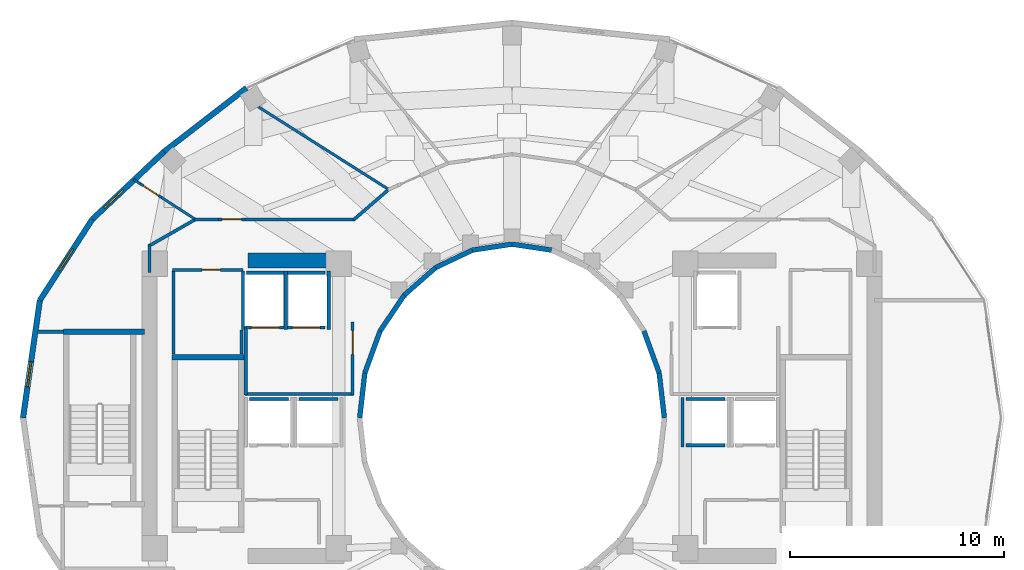
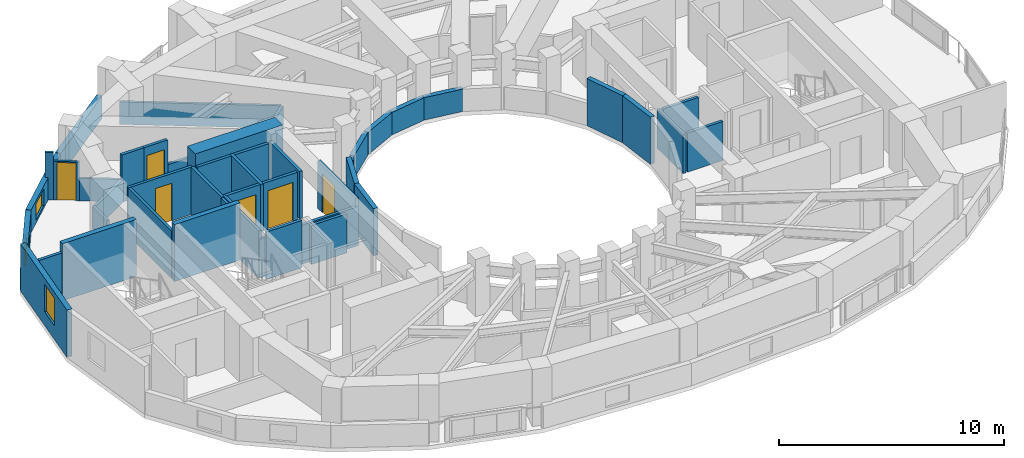
# One storey, part 15 of 20: 45 walls, 6 doors, 3 windows, 9 openings.
"""IFC4 building model written with IfcOpenShell, lengths in metres."""

from ifc_helpers import new_model, si_unit, direction, frame, frame_2d, origin, place, context, subcontext, project, spatial, rectangle, extrude, material, layer, layer_set, type_object, element, fill, save


model = new_model("IFC4")

# Units and contexts
model_context = context("Model", 3, precision=1e-05, world=origin(), true_north=direction((0.0, 1.0)))
body_context = subcontext(model_context, "Body", "Model", "MODEL_VIEW")
ifc_project = project(units=[si_unit("LENGTHUNIT", "METRE"), si_unit("AREAUNIT", "SQUARE_METRE"), si_unit("VOLUMEUNIT", "CUBIC_METRE"), si_unit("PLANEANGLEUNIT", "RADIAN"), si_unit("MASSUNIT", "GRAM", prefix="KILO")], contexts=[model_context])

# Site, building, storey
site_placement = place(None, origin())
site = spatial("IfcSite", under=ifc_project, at=site_placement, CompositionType="ELEMENT")
building_placement = place(site_placement, origin())
building = spatial("IfcBuilding", under=site, at=building_placement, Name="Solvane Sanctuary Tower", CompositionType="ELEMENT")
storey_placement = place(building_placement, frame((0.0, 0.0, 159.10009765625)))
storey = spatial("IfcBuildingStorey", under=building, at=storey_placement, Name="L48", CompositionType="ELEMENT", Elevation=159.10009765625)

# Walls
ifc_material_1 = material(Name="Concrete C60/75", Category="concrete")
ifc_layer_1 = layer(ifc_material_1, 0.699951171875, Name="Concrete C60/75")
ifc_layer_set_1 = layer_set([ifc_layer_1], Name="Concrete C60/75")
wall_type_1 = type_object("IfcWallType", Name="Wall W-CORE-700", PredefinedType="SHEAR", material=ifc_layer_set_1)
wall_1_placement = place(storey_placement, frame((19.64990234375, 30.35009765625, 0.0), z_axis=(0.0, 0.0, 1.0), x_axis=(1.0, 0.0, 0.0)))
element("IfcWall", 1, at=wall_1_placement, inside=storey, type_object=wall_type_1, Name="L48 Core Shear Wall WC-N", PredefinedType="SHEAR", context=body_context, shape_type="SweptSolid", body=[
    extrude(rectangle(XDim=4.5, YDim=0.699951171875, at=frame_2d((2.25, 0.0))), origin(), (0.0, 0.0, 1.0), 3.099853515625),
])
ifc_material_2 = material(Name="Acoustic Gypsum Partition Board")
ifc_layer_2 = layer(ifc_material_2, 0.14990234375, Name="Acoustic Gypsum Partition Board")
ifc_layer_set_2 = layer_set([ifc_layer_2], Name="Acoustic Gypsum Partition Board")
wall_type_2 = type_object("IfcWallType", Name="Wall W-CORR-150", PredefinedType="PARTITIONING", material=ifc_layer_set_2)
wall_2_placement = place(storey_placement, frame((19.52001953125, 24.1201171875, 0.0), z_axis=(0.0, 0.0, 1.0), x_axis=(1.0, 0.0, 0.0)))
element("IfcWall", 2, at=wall_2_placement, inside=storey, type_object=wall_type_2, Name="L48 West Firefighting Lobby South Wall", PredefinedType="PARTITIONING", context=body_context, shape_type="SweptSolid", body=[
    extrude(rectangle(XDim=5.080078125, YDim=0.14990234375, at=frame_2d((2.5400390625, 0.0))), origin(), (0.0, 0.0, 1.0), 2.119873046875),
])
wall_3_placement = place(storey_placement, frame((19.550048828125, 24.080078125, 0.0), z_axis=(0.0, 0.0, 1.0), x_axis=(0.0, 1.0, 0.0)))
element("IfcWall", 3, at=wall_3_placement, inside=storey, type_object=wall_type_2, Name="L48 West Firefighting Lobby West Wall", PredefinedType="PARTITIONING", context=body_context, shape_type="SweptSolid", body=[
    extrude(rectangle(XDim=3.199951171875, YDim=0.14990234375, at=frame_2d((1.60009765625, 0.0))), origin(), (0.0, 0.0, 1.0), 2.574951171875),
])

# Wall, opening, door
wall_4_placement = place(storey_placement, frame((24.550048828125, 24.080078125, 0.0), z_axis=(0.0, 0.0, 1.0), x_axis=(0.0, 1.0, 0.0)))
wall_4 = element("IfcWall", 4, at=wall_4_placement, inside=storey, type_object=wall_type_2, Name="L48 West Firefighting Lobby East Wall", PredefinedType="PARTITIONING", context=body_context, shape_type="SweptSolid", body=[
    extrude(rectangle(XDim=3.39990234375, YDim=0.14990234375, at=frame_2d((1.699951171875, 0.0))), origin(), (0.0, 0.0, 1.0), 2.574951171875),
])
opening_1_placement = place(wall_4_placement, frame((1.893798828125, 0.0, 0.0)))
opening_1 = element("IfcOpeningElement", 5, at=opening_1_placement, cuts=wall_4, Name="Opening D-L48-04", PredefinedType="OPENING", context=body_context, shape_type="SweptSolid", body=[
    extrude(rectangle(XDim=1.10009765625, YDim=2.10009765625, at=frame_2d((0.550048828125, 1.050048828125))), frame((0.0, 0.0849609375, 0.0), z_axis=(0.0, -1.0, 0.0), x_axis=(1.0, 0.0, 0.0)), (0.0, 0.0, 1.0), 0.169921875),
])
ifc_material_3 = material(Name="Architectural Stainless Steel 316", Category="steel")
door_type_1 = type_object("IfcDoorType", Name="Door D-FFL", OperationType="NOTDEFINED", PredefinedType="DOOR", material=ifc_material_3)
door_1_placement = place(opening_1_placement, origin())
door_1 = element("IfcDoor", 6, at=door_1_placement, inside=storey, type_object=door_type_1, Name="L48 West Firefighting Lobby Fire Door", OperationType="SINGLE_SWING_LEFT", OverallHeight=2.10009765625, OverallWidth=1.10009765625, PredefinedType="DOOR", context=body_context, shape_type="SweptSolid", body=[
    extrude(rectangle(XDim=1.10009765625, YDim=2.10009765625, at=frame_2d((0.550048828125, 1.050048828125))), frame((0.0, 0.02490234375, 0.0), z_axis=(0.0, -1.0, 0.0), x_axis=(1.0, 0.0, 0.0)), (0.0, 0.0, 1.0), 0.050048828125),
])
fill(opening_1, door_1)

# Walls
wall_5_placement = place(storey_placement, frame((9.869873046875, 27.030029296875, 0.0), z_axis=(0.0, 0.0, 1.0), x_axis=(1.0, 0.0, 0.0)))
element("IfcWall", 7, at=wall_5_placement, inside=storey, type_object=wall_type_2, Name="L48 NW Corner Closer 1", PredefinedType="PARTITIONING", context=body_context, shape_type="SweptSolid", body=[
    extrude(rectangle(XDim=1.170166015625, YDim=0.14990234375, at=frame_2d((0.5849609375, 0.0))), origin(), (0.0, 0.0, 1.0), 2.574951171875),
])
wall_6_placement = place(storey_placement, frame((15.050048828125, 29.800048828125, 0.0), z_axis=(0.0, 0.0, 1.0), x_axis=(0.0, 1.0, 0.0)))
element("IfcWall", 8, at=wall_6_placement, inside=storey, type_object=wall_type_2, Name="L48 NW Corner Closer 2", PredefinedType="PARTITIONING", context=body_context, shape_type="SweptSolid", body=[
    extrude(rectangle(XDim=1.2900390625, YDim=0.14990234375, at=frame_2d((0.64501953125, 0.0))), origin(), (0.0, 0.0, 1.0), 1.219970703125),
])
wall_7_placement = place(storey_placement, frame((26.193359375, 33.64208984375, 0.0), z_axis=(0.0, 0.0, 1.0), x_axis=(-0.756055312247, -0.654507727092, 0.0)))
element("IfcWall", 9, at=wall_7_placement, inside=storey, type_object=wall_type_2, Name="L48 NW Corner Throat Wall", PredefinedType="PARTITIONING", context=body_context, shape_type="SweptSolid", body=[
    extrude(rectangle(XDim=2.11083984375, YDim=0.14990234375, at=frame_2d((1.055419921875, 0.0))), origin(), (0.0, 0.0, 1.0), 1.219970703125),
])
wall_8_placement = place(storey_placement, frame((17.14990234375, 32.280029296875, 0.0), z_axis=(0.0, 0.0, 1.0), x_axis=(1.0, 0.0, 0.0)))
element("IfcWall", 10, at=wall_8_placement, inside=storey, type_object=wall_type_2, Name="L48 NW Corner Corridor Wall", PredefinedType="PARTITIONING", context=body_context, shape_type="SweptSolid", body=[
    extrude(rectangle(XDim=1.14013671875, YDim=0.14990234375, at=frame_2d((0.570068359375, 0.0))), origin(), (0.0, 0.0, 1.0), 2.574951171875),
])

# Wall, opening, door
wall_9_placement = place(storey_placement, frame((18.2900390625, 32.280029296875, 0.0), z_axis=(0.0, 0.0, 1.0), x_axis=(1.0, 0.0, 0.0)))
wall_9 = element("IfcWall", 11, at=wall_9_placement, inside=storey, type_object=wall_type_2, Name="L48 NW Corner Corridor Wall", PredefinedType="PARTITIONING", context=body_context, shape_type="SweptSolid", body=[
    extrude(rectangle(XDim=1.219970703125, YDim=0.14990234375, at=frame_2d((0.60986328125, 0.0))), origin(), (0.0, 0.0, 1.0), 2.574951171875),
])
opening_2_placement = place(wall_9_placement, frame((0.159912109375, 0.0, 0.0)))
opening_2 = element("IfcOpeningElement", 12, at=opening_2_placement, cuts=wall_9, Name="Opening D-L48-13", PredefinedType="OPENING", context=body_context, shape_type="SweptSolid", body=[
    extrude(rectangle(XDim=0.89990234375, YDim=2.10009765625, at=frame_2d((0.449951171875, 1.050048828125))), frame((0.0, 0.0849609375, 0.0), z_axis=(0.0, -1.0, 0.0), x_axis=(1.0, 0.0, 0.0)), (0.0, 0.0, 1.0), 0.169921875),
])
ifc_material_4 = material(Name="Engineered Tropical Hardwood", Category="wood")
door_type_2 = type_object("IfcDoorType", Name="Door D-WET-900", OperationType="NOTDEFINED", PredefinedType="DOOR", material=ifc_material_4)
door_2_placement = place(opening_2_placement, origin())
door_2 = element("IfcDoor", 13, at=door_2_placement, inside=storey, type_object=door_type_2, Name="L48 NW Corner Salon Door", OperationType="SINGLE_SWING_RIGHT", OverallHeight=2.10009765625, OverallWidth=0.89990234375, PredefinedType="DOOR", context=body_context, shape_type="SweptSolid", body=[
    extrude(rectangle(XDim=0.89990234375, YDim=2.10009765625, at=frame_2d((0.449951171875, 1.050048828125))), frame((0.0, 0.02490234375, 0.0), z_axis=(0.0, -1.0, 0.0), x_axis=(1.0, 0.0, 0.0)), (0.0, 0.0, 1.0), 0.050048828125),
])
fill(opening_2, door_2)

# Walls
wall_10_placement = place(storey_placement, frame((19.510009765625, 32.280029296875, 0.0), z_axis=(0.0, 0.0, 1.0), x_axis=(1.0, 0.0, 0.0)))
element("IfcWall", 14, at=wall_10_placement, inside=storey, type_object=wall_type_2, Name="L48 NW Corner Corridor Wall", PredefinedType="PARTITIONING", context=body_context, shape_type="SweptSolid", body=[
    extrude(rectangle(XDim=5.159912109375, YDim=0.14990234375, at=frame_2d((2.580078125, 0.0))), origin(), (0.0, 0.0, 1.0), 1.219970703125),
])
wall_11_placement = place(storey_placement, frame((17.243408203125, 32.3046875, 0.0), z_axis=(0.0, 0.0, 1.0), x_axis=(-0.867991349648, -0.496579315857, 0.0)))
element("IfcWall", 15, at=wall_11_placement, inside=storey, type_object=wall_type_2, Name="L48 NW Corner Wing Wall", PredefinedType="PARTITIONING", context=body_context, shape_type="SweptSolid", body=[
    extrude(rectangle(XDim=2.56689453125, YDim=0.14990234375, at=frame_2d((1.283447265625, 0.0))), origin(), (0.0, 0.0, 1.0), 1.219970703125),
])
ifc_material_5 = material(Name="Precast concrete C40/50", Category="concrete")
ifc_layer_3 = layer(ifc_material_5, 0.260009765625, Name="Precast concrete C40/50")
ifc_layer_set_3 = layer_set([ifc_layer_3], Name="Precast concrete C40/50")
wall_type_3 = type_object("IfcWallType", Name="Wall W-EXT-250", PredefinedType="STANDARD", material=ifc_layer_set_3)
wall_12_placement = place(storey_placement, frame((19.5869140625, 38.41943359375, 0.0), z_axis=(0.0, 0.0, 1.0), x_axis=(-0.791460185804, -0.611220724687, 0.0)))
element("IfcWall", 16, at=wall_12_placement, inside=storey, type_object=wall_type_3, Name="L48 Ceramic-Printed Facade Wall 08", PredefinedType="STANDARD", context=body_context, shape_type="SweptSolid", body=[
    extrude(rectangle(XDim=4.872314453125, YDim=0.260009765625, at=frame_2d((2.43603515625, 0.0))), origin(), (0.0, 0.0, 1.0), 1.219970703125),
])

# Wall, opening, window
wall_13_placement = place(storey_placement, frame((15.730712890625, 35.44140625, 0.0), z_axis=(0.0, 0.0, 1.0), x_axis=(-0.727667301037, -0.68593024354, 0.0)))
wall_13 = element("IfcWall", 17, at=wall_13_placement, inside=storey, type_object=wall_type_3, Name="L48 Ceramic-Printed Facade Wall 09", PredefinedType="STANDARD", context=body_context, shape_type="SweptSolid", body=[
    extrude(rectangle(XDim=4.603515625, YDim=0.260009765625, at=frame_2d((2.3017578125, 0.0))), origin(), (0.0, 0.0, 1.0), 1.219970703125),
])
opening_3_placement = place(wall_13_placement, frame((2.633544921875, 0.0, 0.14990234375)))
opening_3 = element("IfcOpeningElement", 18, at=opening_3_placement, cuts=wall_13, Name="Opening WN-OPER-1200", PredefinedType="OPENING", context=body_context, shape_type="SweptSolid", body=[
    extrude(rectangle(XDim=1.199951171875, YDim=0.89990234375, at=frame_2d((0.60009765625, 0.449951171875))), frame((0.0, 0.139892578125, 0.0), z_axis=(0.0, -1.0, 0.0), x_axis=(1.0, 0.0, 0.0)), (0.0, 0.0, 1.0), 0.280029296875),
])
ifc_material_6 = material(Name="Dark Ceramic-Fritted Low-E Glass", Category="glass")
window_type = type_object("IfcWindowType", Name="Window WN-OPER-1200", PartitioningType="SINGLE_PANEL", PredefinedType="WINDOW", material=ifc_material_6)
window_1_placement = place(opening_3_placement, origin())
window_1 = element("IfcWindow", 19, at=window_1_placement, inside=storey, type_object=window_type, Name="L48 Operable Facade Window 09", OverallHeight=0.89990234375, OverallWidth=1.199951171875, PartitioningType="SINGLE_PANEL", PredefinedType="WINDOW", context=body_context, shape_type="SweptSolid", body=[
    extrude(rectangle(XDim=1.199951171875, YDim=0.89990234375, at=frame_2d((0.60009765625, 0.449951171875))), frame((0.0, 0.030029296875, 0.0), z_axis=(0.0, -1.0, 0.0), x_axis=(1.0, 0.0, 0.0)), (0.0, 0.0, 1.0), 0.06005859375),
])
fill(opening_3, window_1)

wall_14_placement = place(storey_placement, frame((12.380859375, 32.28369140625, 0.0), z_axis=(0.0, 0.0, 1.0), x_axis=(-0.543358984534, -0.839500454989, 0.0)))
wall_14 = element("IfcWall", 20, at=wall_14_placement, inside=storey, type_object=wall_type_3, Name="L48 Ceramic-Printed Facade Wall 10", PredefinedType="STANDARD", context=body_context, shape_type="SweptSolid", body=[
    extrude(rectangle(XDim=4.51123046875, YDim=0.260009765625, at=frame_2d((2.255615234375, 0.0))), origin(), (0.0, 0.0, 1.0), 1.219970703125),
])
opening_4_placement = place(wall_14_placement, frame((1.655517578125, 0.0, 0.14990234375)))
opening_4 = element("IfcOpeningElement", 21, at=opening_4_placement, cuts=wall_14, Name="Opening WN-OPER-1200", PredefinedType="OPENING", context=body_context, shape_type="SweptSolid", body=[
    extrude(rectangle(XDim=1.199951171875, YDim=0.89990234375, at=frame_2d((0.60009765625, 0.449951171875))), frame((0.0, 0.139892578125, 0.0), z_axis=(0.0, -1.0, 0.0), x_axis=(1.0, 0.0, 0.0)), (0.0, 0.0, 1.0), 0.280029296875),
])
window_2_placement = place(opening_4_placement, origin())
window_2 = element("IfcWindow", 22, at=window_2_placement, inside=storey, type_object=window_type, Name="L48 Operable Facade Window 10", OverallHeight=0.89990234375, OverallWidth=1.199951171875, PartitioningType="SINGLE_PANEL", PredefinedType="WINDOW", context=body_context, shape_type="SweptSolid", body=[
    extrude(rectangle(XDim=1.199951171875, YDim=0.89990234375, at=frame_2d((0.60009765625, 0.449951171875))), frame((0.0, 0.030029296875, 0.0), z_axis=(0.0, -1.0, 0.0), x_axis=(1.0, 0.0, 0.0)), (0.0, 0.0, 1.0), 0.06005859375),
])
fill(opening_4, window_2)

wall_15_placement = place(storey_placement, frame((9.9296875, 28.49658203125, 0.0), z_axis=(0.0, 0.0, 1.0), x_axis=(-0.142227632286, -0.989833976288, 0.0)))
wall_15 = element("IfcWall", 23, at=wall_15_placement, inside=storey, type_object=wall_type_3, Name="L48 Ceramic-Printed Facade Wall 11", PredefinedType="STANDARD", context=body_context, shape_type="SweptSolid", body=[
    extrude(rectangle(XDim=5.552978515625, YDim=0.260009765625, at=frame_2d((2.7763671875, 0.0))), origin(), (0.0, 0.0, 1.0), 2.56982421875),
])
opening_5_placement = place(wall_15_placement, frame((2.892333984375, 0.0, 0.75)))
opening_5 = element("IfcOpeningElement", 24, at=opening_5_placement, cuts=wall_15, Name="Opening WN-OPER-1200", PredefinedType="OPENING", context=body_context, shape_type="SweptSolid", body=[
    extrude(rectangle(XDim=1.199951171875, YDim=1.5, at=frame_2d((0.60009765625, 0.75))), frame((0.0, 0.139892578125, 0.0), z_axis=(0.0, -1.0, 0.0), x_axis=(1.0, 0.0, 0.0)), (0.0, 0.0, 1.0), 0.280029296875),
])
window_3_placement = place(opening_5_placement, origin())
window_3 = element("IfcWindow", 25, at=window_3_placement, inside=storey, type_object=window_type, Name="L48 Operable Facade Window 11", OverallHeight=1.5, OverallWidth=1.199951171875, PartitioningType="SINGLE_PANEL", PredefinedType="WINDOW", context=body_context, shape_type="SweptSolid", body=[
    extrude(rectangle(XDim=1.199951171875, YDim=1.5, at=frame_2d((0.60009765625, 0.75))), frame((0.0, 0.030029296875, 0.0), z_axis=(0.0, -1.0, 0.0), x_axis=(1.0, 0.0, 0.0)), (0.0, 0.0, 1.0), 0.06005859375),
])
fill(opening_5, window_3)

# Walls
ifc_layer_4 = layer(ifc_material_5, 0.22998046875, Name="Precast concrete C40/50")
ifc_layer_set_4 = layer_set([ifc_layer_4], Name="Precast concrete C40/50")
wall_type_4 = type_object("IfcWallType", Name="Wall W-EXT-SP220", PredefinedType="STANDARD", material=ifc_layer_set_4)
wall_16_placement = place(storey_placement, frame((39.1201171875, 23.0, 0.0), z_axis=(0.0, 0.0, 1.0), x_axis=(-0.114711713601, 0.993398823617, 0.0)))
element("IfcWall", 26, at=wall_16_placement, inside=storey, type_object=wall_type_4, Name="L48 Central Light-Well Wall 00", PredefinedType="STANDARD", context=body_context, shape_type="SweptSolid", body=[
    extrude(rectangle(XDim=2.115478515625, YDim=0.22998046875, at=frame_2d((1.0576171875, 0.0))), origin(), (0.0, 0.0, 1.0), 2.559814453125),
])
wall_17_placement = place(storey_placement, frame((38.87744140625, 25.1015625, 0.0), z_axis=(0.0, 0.0, 1.0), x_axis=(-0.341423187295, 0.93990968033, 0.0)))
element("IfcWall", 27, at=wall_17_placement, inside=storey, type_object=wall_type_4, Name="L48 Central Light-Well Wall 01", PredefinedType="STANDARD", context=body_context, shape_type="SweptSolid", body=[
    extrude(rectangle(XDim=2.083740234375, YDim=0.22998046875, at=frame_2d((1.0419921875, 0.0))), origin(), (0.0, 0.0, 1.0), 2.559814453125),
])
for number, where, z_axis, x_axis, name in (
    (28, (33.8427734375, 30.84326171875, 0.0), (0.0, 0.0, 1.0), (-0.988901730308, 0.148571086668, 0.0), "L48 Central Light-Well Wall 05"),
    (29, (32.0, 31.1201171875, 0.0), (0.0, 0.0, 1.0), (-0.988901730308, -0.148571086668, 0.0), "L48 Central Light-Well Wall 06"),
):
    element("IfcWall", number, at=place(storey_placement, frame(where, z_axis=z_axis, x_axis=x_axis)), inside=storey, type_object=wall_type_4, Name=name, PredefinedType="STANDARD", context=body_context, shape_type="SweptSolid", body=[
        extrude(rectangle(XDim=1.863525390625, YDim=0.22998046875, at=frame_2d((0.931640625, 0.0))), origin(), (0.0, 0.0, 1.0), 1.219970703125),
    ])
wall_18_placement = place(storey_placement, frame((30.1572265625, 30.84326171875, 0.0), z_axis=(0.0, 0.0, 1.0), x_axis=(-0.904179699603, -0.427152280606, 0.0)))
element("IfcWall", 30, at=wall_18_placement, inside=storey, type_object=wall_type_4, Name="L48 Central Light-Well Wall 07", PredefinedType="STANDARD", context=body_context, shape_type="SweptSolid", body=[
    extrude(rectangle(XDim=1.899169921875, YDim=0.22998046875, at=frame_2d((0.94970703125, 0.0))), origin(), (0.0, 0.0, 1.0), 1.219970703125),
])
wall_19_placement = place(storey_placement, frame((28.43994140625, 30.031982421875, 0.0), z_axis=(0.0, 0.0, 1.0), x_axis=(-0.752576694707, -0.658504607869, 0.0)))
element("IfcWall", 31, at=wall_19_placement, inside=storey, type_object=wall_type_4, Name="L48 Central Light-Well Wall 08", PredefinedType="STANDARD", context=body_context, shape_type="SweptSolid", body=[
    extrude(rectangle(XDim=1.95947265625, YDim=0.22998046875, at=frame_2d((0.979736328125, 0.0))), origin(), (0.0, 0.0, 1.0), 1.219970703125),
])
wall_20_placement = place(storey_placement, frame((26.96533203125, 28.74169921875, 0.0), z_axis=(0.0, 0.0, 1.0), x_axis=(-0.558197800898, -0.829707909492, 0.0)))
element("IfcWall", 32, at=wall_20_placement, inside=storey, type_object=wall_type_4, Name="L48 Central Light-Well Wall 09", PredefinedType="STANDARD", context=body_context, shape_type="SweptSolid", body=[
    extrude(rectangle(XDim=2.02685546875, YDim=0.22998046875, at=frame_2d((1.013427734375, 0.0))), origin(), (0.0, 0.0, 1.0), 1.219970703125),
])
wall_21_placement = place(storey_placement, frame((25.833984375, 27.06005859375, 0.0), z_axis=(0.0, 0.0, 1.0), x_axis=(-0.341423187295, -0.93990968033, 0.0)))
element("IfcWall", 33, at=wall_21_placement, inside=storey, type_object=wall_type_4, Name="L48 Central Light-Well Wall 10", PredefinedType="STANDARD", context=body_context, shape_type="SweptSolid", body=[
    extrude(rectangle(XDim=2.083740234375, YDim=0.22998046875, at=frame_2d((1.0419921875, 0.0))), origin(), (0.0, 0.0, 1.0), 2.559814453125),
])
wall_22_placement = place(storey_placement, frame((25.12255859375, 25.1015625, 0.0), z_axis=(0.0, 0.0, 1.0), x_axis=(-0.114711713601, -0.993398823617, 0.0)))
element("IfcWall", 34, at=wall_22_placement, inside=storey, type_object=wall_type_4, Name="L48 Central Light-Well Wall 11", PredefinedType="STANDARD", context=body_context, shape_type="SweptSolid", body=[
    extrude(rectangle(XDim=2.115478515625, YDim=0.22998046875, at=frame_2d((1.0576171875, 0.0))), origin(), (0.0, 0.0, 1.0), 2.559814453125),
])
ifc_layer_5 = layer(ifc_material_2, 0.1201171875, Name="Acoustic Gypsum Partition Board")
ifc_layer_set_5 = layer_set([ifc_layer_5], Name="Acoustic Gypsum Partition Board")
wall_type_5 = type_object("IfcWallType", Name="Wall W-MOV-100", PredefinedType="MOVABLE", material=ifc_layer_set_5)
wall_23_placement = place(storey_placement, frame((17.241943359375, 32.2529296875, 0.0), z_axis=(0.0, 0.0, 1.0), x_axis=(-0.839960690577, 0.542647250325, 0.0)))
element("IfcWall", 35, at=wall_23_placement, inside=storey, type_object=wall_type_5, Name="L48 NW Corner Suite Partition", PredefinedType="MOVABLE", context=body_context, shape_type="SweptSolid", body=[
    extrude(rectangle(XDim=1.944580078125, YDim=0.1201171875, at=frame_2d((0.97216796875, 0.0))), origin(), (0.0, 0.0, 1.0), 1.219970703125),
])

# Wall, opening, door
wall_24_placement = place(storey_placement, frame((15.608642578125, 33.30810546875, 0.0), z_axis=(0.0, 0.0, 1.0), x_axis=(-0.839989837614, 0.542602131129, 0.0)))
wall_24 = element("IfcWall", 36, at=wall_24_placement, inside=storey, type_object=wall_type_5, Name="L48 NW Corner Suite Partition", PredefinedType="MOVABLE", context=body_context, shape_type="SweptSolid", body=[
    extrude(rectangle(XDim=1.169921875, YDim=0.1201171875, at=frame_2d((0.5849609375, 0.0))), origin(), (0.0, 0.0, 1.0), 2.10986328125),
])
opening_6_placement = place(wall_24_placement, frame((0.159912109375, 0.0, 0.0)))
opening_6 = element("IfcOpeningElement", 37, at=opening_6_placement, cuts=wall_24, Name="Opening D-L48-12", PredefinedType="OPENING", context=body_context, shape_type="SweptSolid", body=[
    extrude(rectangle(XDim=0.85009765625, YDim=2.050048828125, at=frame_2d((0.425048828125, 1.02490234375))), frame((0.0, 0.070068359375, 0.0), z_axis=(0.0, -1.0, 0.0), x_axis=(1.0, 0.0, 0.0)), (0.0, 0.0, 1.0), 0.14013671875),
])
door_type_3 = type_object("IfcDoorType", Name="Door D-RISER", OperationType="NOTDEFINED", PredefinedType="DOOR", material=ifc_material_3)
door_3_placement = place(opening_6_placement, origin())
door_3 = element("IfcDoor", 38, at=door_3_placement, inside=storey, type_object=door_type_3, Name="L48 NW Corner Suite Door", OperationType="SINGLE_SWING_LEFT", OverallHeight=2.050048828125, OverallWidth=0.85009765625, PredefinedType="DOOR", context=body_context, shape_type="SweptSolid", body=[
    extrude(rectangle(XDim=0.85009765625, YDim=2.050048828125, at=frame_2d((0.425048828125, 1.02490234375))), frame((0.0, 0.02490234375, 0.0), z_axis=(0.0, -1.0, 0.0), x_axis=(1.0, 0.0, 0.0)), (0.0, 0.0, 1.0), 0.050048828125),
])
fill(opening_6, door_3)

# Walls
wall_25_placement = place(storey_placement, frame((14.6259765625, 33.94287109375, 0.0), z_axis=(0.0, 0.0, 1.0), x_axis=(-0.840014217141, 0.542564387885, 0.0)))
element("IfcWall", 39, at=wall_25_placement, inside=storey, type_object=wall_type_5, Name="L48 NW Corner Suite Partition", PredefinedType="MOVABLE", context=body_context, shape_type="SweptSolid", body=[
    extrude(rectangle(XDim=0.368408203125, YDim=0.1201171875, at=frame_2d((0.18408203125, 0.0))), origin(), (0.0, 0.0, 1.0), 2.574951171875),
])
ifc_layer_6 = layer(ifc_material_2, 0.125, Name="Acoustic Gypsum Partition Board")
ifc_layer_set_6 = layer_set([ifc_layer_6], Name="Acoustic Gypsum Partition Board")
wall_type_6 = type_object("IfcWallType", Name="Wall W-PART-125", PredefinedType="PARTITIONING", material=ifc_layer_set_6)
wall_26_placement = place(storey_placement, frame((26.1884765625, 33.70751953125, 0.0), z_axis=(0.0, 0.0, 1.0), x_axis=(-0.844640430122, 0.535334048799, 0.0)))
element("IfcWall", 40, at=wall_26_placement, inside=storey, type_object=wall_type_6, Name="L48 Radial Compartment Wall 120", PredefinedType="PARTITIONING", context=body_context, shape_type="SweptSolid", body=[
    extrude(rectangle(XDim=7.188232421875, YDim=0.125, at=frame_2d((3.59423828125, 0.0))), origin(), (0.0, 0.0, 1.0), 1.219970703125),
])
ifc_material_7 = material(Name="Concrete C50/60", Category="concrete")
ifc_layer_7 = layer(ifc_material_7, 0.14990234375, Name="Concrete C50/60")
ifc_layer_set_7 = layer_set([ifc_layer_7], Name="Concrete C50/60")
wall_type_7 = type_object("IfcWallType", Name="Wall W-SHAFT-150", PredefinedType="SOLIDWALL", material=ifc_layer_set_7)
wall_27_placement = place(storey_placement, frame((19.739990234375, 23.8798828125, 0.0), z_axis=(0.0, 0.0, 1.0), x_axis=(1.0, 0.0, 0.0)))
element("IfcWall", 41, at=wall_27_placement, inside=storey, type_object=wall_type_7, Name="L48 PM-1 Lift Shaft Wall B", PredefinedType="SOLIDWALL", context=body_context, shape_type="SweptSolid", body=[
    extrude(rectangle(XDim=1.820068359375, YDim=0.14990234375, at=frame_2d((0.91015625, 0.0))), origin(), (0.0, 0.0, 1.0), 2.574951171875),
])
for number, where, z_axis, x_axis, name in (
    (42, (22.0400390625, 23.8798828125, 0.0), (0.0, 0.0, 1.0), (1.0, 0.0, 0.0), "L48 PH-1 Lift Shaft Wall B"),
    (43, (40.139892578125, 21.719970703125, 0.0), (0.0, 0.0, 1.0), (1.0, 0.0, 0.0), "L48 PH-2 Lift Shaft Wall F"),
    (44, (40.139892578125, 23.8798828125, 0.0), (0.0, 0.0, 1.0), (1.0, 0.0, 0.0), "L48 PH-2 Lift Shaft Wall B"),
):
    element("IfcWall", number, at=place(storey_placement, frame(where, z_axis=z_axis, x_axis=x_axis)), inside=storey, type_object=wall_type_7, Name=name, PredefinedType="SOLIDWALL", context=body_context, shape_type="SweptSolid", body=[
        extrude(rectangle(XDim=1.820068359375, YDim=0.14990234375, at=frame_2d((0.91015625, 0.0))), origin(), (0.0, 0.0, 1.0), 2.119873046875),
    ])
wall_28_placement = place(storey_placement, frame((39.969970703125, 21.639892578125, 0.0), z_axis=(0.0, 0.0, 1.0), x_axis=(0.0, 1.0, 0.0)))
element("IfcWall", 45, at=wall_28_placement, inside=storey, type_object=wall_type_7, Name="L48 PH-2 Lift Shaft Wall S1", PredefinedType="SOLIDWALL", context=body_context, shape_type="SweptSolid", body=[
    extrude(rectangle(XDim=2.320068359375, YDim=0.14990234375, at=frame_2d((1.16015625, 0.0))), origin(), (0.0, 0.0, 1.0), 2.119873046875),
])

# Wall, opening, door
wall_29_placement = place(storey_placement, frame((19.590087890625, 27.219970703125, 0.0), z_axis=(0.0, 0.0, 1.0), x_axis=(1.0, 0.0, 0.0)))
wall_29 = element("IfcWall", 46, at=wall_29_placement, inside=storey, type_object=wall_type_7, Name="L48 FFL-1 Lift Shaft Wall F", PredefinedType="SOLIDWALL", context=body_context, shape_type="SweptSolid", body=[
    extrude(rectangle(XDim=1.760009765625, YDim=0.14990234375, at=frame_2d((0.8798828125, 0.0))), origin(), (0.0, 0.0, 1.0), 2.574951171875),
])
opening_7_placement = place(wall_29_placement, frame((0.22998046875, 0.0, 0.0)))
opening_7 = element("IfcOpeningElement", 47, at=opening_7_placement, cuts=wall_29, Name="Opening LD-L48-03", PredefinedType="OPENING", context=body_context, shape_type="SweptSolid", body=[
    extrude(rectangle(XDim=1.300048828125, YDim=2.10009765625, at=frame_2d((0.64990234375, 1.050048828125))), frame((0.0, 0.0849609375, 0.0), z_axis=(0.0, -1.0, 0.0), x_axis=(1.0, 0.0, 0.0)), (0.0, 0.0, 1.0), 0.169921875),
])
door_type_4 = type_object("IfcDoorType", Name="Door LD-FFL-1300", OperationType="NOTDEFINED", PredefinedType="DOOR", material=ifc_material_3)
door_4_placement = place(opening_7_placement, origin())
door_4 = element("IfcDoor", 48, at=door_4_placement, inside=storey, type_object=door_type_4, Name="L48 FFL-1 Lift Landing Door", OperationType="DOUBLE_DOOR_SLIDING", OverallHeight=2.10009765625, OverallWidth=1.300048828125, PredefinedType="DOOR", context=body_context, shape_type="SweptSolid", body=[
    extrude(rectangle(XDim=1.300048828125, YDim=2.10009765625, at=frame_2d((0.64990234375, 1.050048828125))), frame((0.0, 0.02490234375, 0.0), z_axis=(0.0, -1.0, 0.0), x_axis=(1.0, 0.0, 0.0)), (0.0, 0.0, 1.0), 0.050048828125),
])
fill(opening_7, door_4)

# Walls
wall_30_placement = place(storey_placement, frame((19.590087890625, 29.780029296875, 0.0), z_axis=(0.0, 0.0, 1.0), x_axis=(1.0, 0.0, 0.0)))
element("IfcWall", 49, at=wall_30_placement, inside=storey, type_object=wall_type_7, Name="L48 FFL-1 Lift Shaft Wall B", PredefinedType="SOLIDWALL", context=body_context, shape_type="SweptSolid", body=[
    extrude(rectangle(XDim=1.760009765625, YDim=0.14990234375, at=frame_2d((0.8798828125, 0.0))), origin(), (0.0, 0.0, 1.0), 2.574951171875),
])
for number, where, z_axis, x_axis, name in (
    (50, (19.419921875, 27.139892578125, 0.0), (0.0, 0.0, 1.0), (0.0, 1.0, 0.0), "L48 FFL-1 Lift Shaft Wall S1"),
    (51, (21.425048828125, 27.139892578125, 0.0), (0.0, 0.0, 1.0), (0.0, 1.0, 0.0), "L48 FFL-1 Lift Shaft Wall S2"),
):
    element("IfcWall", number, at=place(storey_placement, frame(where, z_axis=z_axis, x_axis=x_axis)), inside=storey, type_object=wall_type_7, Name=name, PredefinedType="SOLIDWALL", context=body_context, shape_type="SweptSolid", body=[
        extrude(rectangle(XDim=2.72021484375, YDim=0.14990234375, at=frame_2d((1.360107421875, 0.0))), origin(), (0.0, 0.0, 1.0), 2.574951171875),
    ])

# Wall, opening, door
wall_31_placement = place(storey_placement, frame((21.5, 27.219970703125, 0.0), z_axis=(0.0, 0.0, 1.0), x_axis=(1.0, 0.0, 0.0)))
wall_31 = element("IfcWall", 52, at=wall_31_placement, inside=storey, type_object=wall_type_7, Name="L48 SVL-1 Lift Shaft Wall F", PredefinedType="SOLIDWALL", context=body_context, shape_type="SweptSolid", body=[
    extrude(rectangle(XDim=1.760009765625, YDim=0.14990234375, at=frame_2d((0.8798828125, 0.0))), origin(), (0.0, 0.0, 1.0), 2.574951171875),
])
opening_8_placement = place(wall_31_placement, frame((0.22998046875, 0.0, 0.0)))
opening_8 = element("IfcOpeningElement", 53, at=opening_8_placement, cuts=wall_31, Name="Opening LD-L48-04", PredefinedType="OPENING", context=body_context, shape_type="SweptSolid", body=[
    extrude(rectangle(XDim=1.300048828125, YDim=2.10009765625, at=frame_2d((0.64990234375, 1.050048828125))), frame((0.0, 0.0849609375, 0.0), z_axis=(0.0, -1.0, 0.0), x_axis=(1.0, 0.0, 0.0)), (0.0, 0.0, 1.0), 0.169921875),
])
door_5_placement = place(opening_8_placement, origin())
door_5 = element("IfcDoor", 54, at=door_5_placement, inside=storey, type_object=door_type_4, Name="L48 SVL-1 Lift Landing Door", OperationType="DOUBLE_DOOR_SLIDING", OverallHeight=2.10009765625, OverallWidth=1.300048828125, PredefinedType="DOOR", context=body_context, shape_type="SweptSolid", body=[
    extrude(rectangle(XDim=1.300048828125, YDim=2.10009765625, at=frame_2d((0.64990234375, 1.050048828125))), frame((0.0, 0.02490234375, 0.0), z_axis=(0.0, -1.0, 0.0), x_axis=(1.0, 0.0, 0.0)), (0.0, 0.0, 1.0), 0.050048828125),
])
fill(opening_8, door_5)

# Walls
wall_32_placement = place(storey_placement, frame((21.5, 29.780029296875, 0.0), z_axis=(0.0, 0.0, 1.0), x_axis=(1.0, 0.0, 0.0)))
element("IfcWall", 55, at=wall_32_placement, inside=storey, type_object=wall_type_7, Name="L48 SVL-1 Lift Shaft Wall B", PredefinedType="SOLIDWALL", context=body_context, shape_type="SweptSolid", body=[
    extrude(rectangle(XDim=1.760009765625, YDim=0.14990234375, at=frame_2d((0.8798828125, 0.0))), origin(), (0.0, 0.0, 1.0), 2.574951171875),
])
wall_33_placement = place(storey_placement, frame((23.429931640625, 27.139892578125, 0.0), z_axis=(0.0, 0.0, 1.0), x_axis=(0.0, 1.0, 0.0)))
element("IfcWall", 56, at=wall_33_placement, inside=storey, type_object=wall_type_7, Name="L48 SVL-1 Lift Shaft Wall S2", PredefinedType="SOLIDWALL", context=body_context, shape_type="SweptSolid", body=[
    extrude(rectangle(XDim=2.72021484375, YDim=0.14990234375, at=frame_2d((1.360107421875, 0.0))), origin(), (0.0, 0.0, 1.0), 2.574951171875),
])
ifc_layer_8 = layer(ifc_material_7, 0.25, Name="Concrete C50/60")
ifc_layer_set_8 = layer_set([ifc_layer_8], Name="Concrete C50/60")
wall_type_8 = type_object("IfcWallType", Name="Wall W-SHAFT-250", PredefinedType="SOLIDWALL", material=ifc_layer_set_8)
wall_34_placement = place(storey_placement, frame((16.10498046875, 25.830078125, 0.0), z_axis=(0.0, 0.0, 1.0), x_axis=(1.0, 0.0, 0.0)))
element("IfcWall", 57, at=wall_34_placement, inside=storey, type_object=wall_type_8, Name="L48 ST-1 Load-Bearing Shaft Wall N", PredefinedType="SOLIDWALL", context=body_context, shape_type="SweptSolid", body=[
    extrude(rectangle(XDim=3.3701171875, YDim=0.25, at=frame_2d((1.68505859375, 0.0))), origin(), (0.0, 0.0, 1.0), 3.099853515625),
])
wall_35_placement = place(storey_placement, frame((11.044921875, 27.030029296875, 0.0), z_axis=(0.0, 0.0, 1.0), x_axis=(1.0, 0.0, 0.0)))
element("IfcWall", 58, at=wall_35_placement, inside=storey, type_object=wall_type_8, Name="L48 ST-3 Load-Bearing Shaft Wall N", PredefinedType="SOLIDWALL", context=body_context, shape_type="SweptSolid", body=[
    extrude(rectangle(XDim=3.781982421875, YDim=0.25, at=frame_2d((1.89111328125, 0.0))), origin(), (0.0, 0.0, 1.0), 3.099853515625),
])

# Wall, opening, door
ifc_layer_9 = layer(ifc_material_2, 0.139892578125, Name="Acoustic Gypsum Partition Board")
ifc_layer_set_9 = layer_set([ifc_layer_9], Name="Acoustic Gypsum Partition Board")
wall_type_9 = type_object("IfcWallType", Name="Wall W-WET-140", PredefinedType="PLUMBINGWALL", material=ifc_layer_set_9)
wall_36_placement = place(storey_placement, frame((16.1201171875, 29.919921875, 0.0), z_axis=(0.0, 0.0, 1.0), x_axis=(1.0, 0.0, 0.0)))
wall_36 = element("IfcWall", 59, at=wall_36_placement, inside=storey, type_object=wall_type_9, Name="L48 Core Service Front Wall KW0", PredefinedType="PLUMBINGWALL", context=body_context, shape_type="SweptSolid", body=[
    extrude(rectangle(XDim=3.2998046875, YDim=0.139892578125, at=frame_2d((1.64990234375, 0.0))), origin(), (0.0, 0.0, 1.0), 2.574951171875),
])
opening_9_placement = place(wall_36_placement, frame((1.3994140625, 0.0, 0.0)))
opening_9 = element("IfcOpeningElement", 60, at=opening_9_placement, cuts=wall_36, Name="Opening D-L48-08", PredefinedType="OPENING", context=body_context, shape_type="SweptSolid", body=[
    extrude(rectangle(XDim=0.85009765625, YDim=2.050048828125, at=frame_2d((0.425048828125, 1.02490234375))), frame((0.0, 0.079833984375, 0.0), z_axis=(0.0, -1.0, 0.0), x_axis=(1.0, 0.0, 0.0)), (0.0, 0.0, 1.0), 0.159912109375),
])
door_6_placement = place(opening_9_placement, origin())
door_6 = element("IfcDoor", 61, at=door_6_placement, inside=storey, type_object=door_type_3, Name="L48 Core Service Room Door KW0-1", OperationType="SINGLE_SWING_LEFT", OverallHeight=2.050048828125, OverallWidth=0.85009765625, PredefinedType="DOOR", context=body_context, shape_type="SweptSolid", body=[
    extrude(rectangle(XDim=0.85009765625, YDim=2.050048828125, at=frame_2d((0.425048828125, 1.02490234375))), frame((0.0, 0.02490234375, 0.0), z_axis=(0.0, -1.0, 0.0), x_axis=(1.0, 0.0, 0.0)), (0.0, 0.0, 1.0), 0.050048828125),
])
fill(opening_9, door_6)

# Walls
wall_37_placement = place(storey_placement, frame((16.179931640625, 25.97998046875, 0.0), z_axis=(0.0, 0.0, 1.0), x_axis=(0.0, 1.0, 0.0)))
element("IfcWall", 62, at=wall_37_placement, inside=storey, type_object=wall_type_9, Name="L48 Core Service Side Wall KW0-1", PredefinedType="PLUMBINGWALL", context=body_context, shape_type="SweptSolid", body=[
    extrude(rectangle(XDim=3.880126953125, YDim=0.139892578125, at=frame_2d((1.93994140625, 0.0))), origin(), (0.0, 0.0, 1.0), 2.574951171875),
])
wall_38_placement = place(storey_placement, frame((19.360107421875, 25.97998046875, 0.0), z_axis=(0.0, 0.0, 1.0), x_axis=(0.0, 1.0, 0.0)))
element("IfcWall", 63, at=wall_38_placement, inside=storey, type_object=wall_type_9, Name="L48 Core Service Side Wall KW0-2", PredefinedType="PLUMBINGWALL", context=body_context, shape_type="SweptSolid", body=[
    extrude(rectangle(XDim=1.1201171875, YDim=0.139892578125, at=frame_2d((0.56005859375, 0.0))), origin(), (0.0, 0.0, 1.0), 2.574951171875),
])

save(model, "model.ifc")
